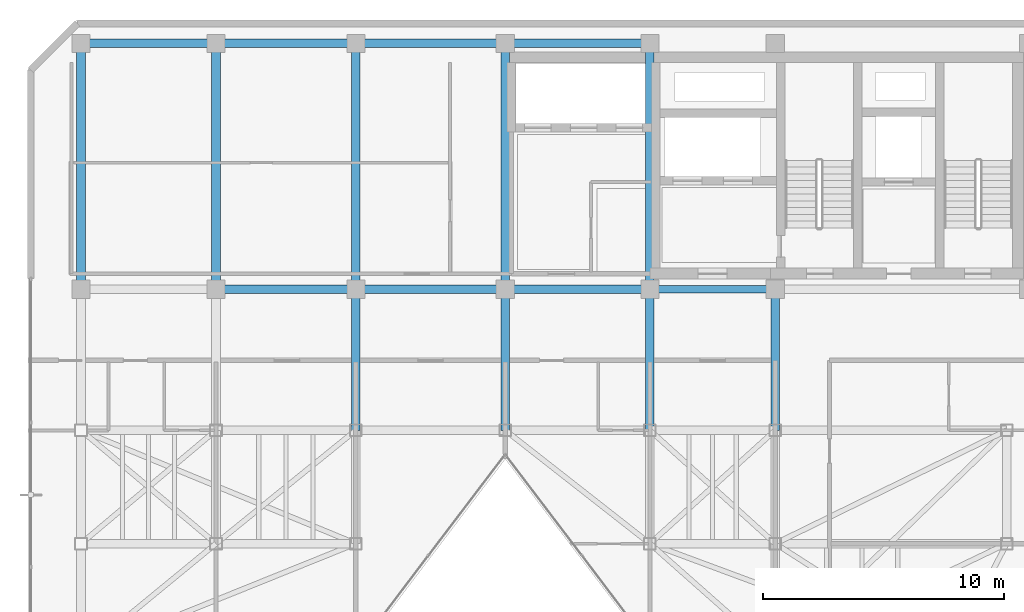
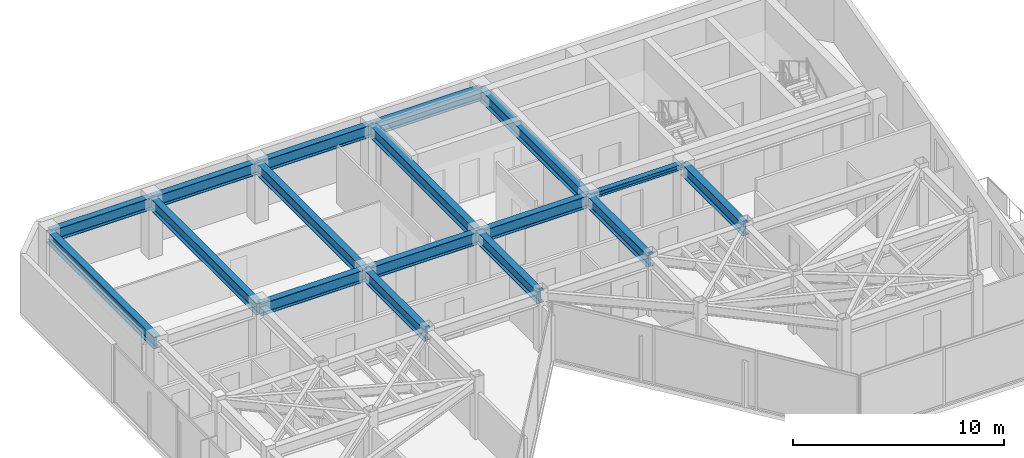
# One storey, part 13 of 19: 17 beams.
"""IFC4 building model written with IfcOpenShell, lengths in metres."""

from ifc_helpers import new_model, si_unit, direction, frame, origin, origin_2d, place, context, subcontext, project, spatial, i_section, extrude, material, material_profile, profile_set, type_object, element, save


model = new_model("IFC4")

# Units and contexts
model_context = context("Model", 3, precision=1e-05, world=origin(), true_north=direction((0.0, 1.0)))
body_context = subcontext(model_context, "Body", "Model", "MODEL_VIEW")
ifc_project = project(units=[si_unit("LENGTHUNIT", "METRE"), si_unit("AREAUNIT", "SQUARE_METRE"), si_unit("VOLUMEUNIT", "CUBIC_METRE"), si_unit("PLANEANGLEUNIT", "RADIAN"), si_unit("MASSUNIT", "GRAM", prefix="KILO")], contexts=[model_context])

# Site, building, storey
site_placement = place(None, origin())
site = spatial("IfcSite", under=ifc_project, at=site_placement, CompositionType="ELEMENT")
building_placement = place(site_placement, origin())
building = spatial("IfcBuilding", under=site, at=building_placement, Name="Kravanh Interchange Tower", CompositionType="ELEMENT")
storey_placement = place(building_placement, frame((0.0, 0.0, 259.800048828125)))
storey = spatial("IfcBuildingStorey", under=building, at=storey_placement, Name="L63", CompositionType="ELEMENT", Elevation=259.800048828125)

# Beams
ifc_material_1 = material(Name="Structural Steel S355", Category="steel")
ifc_material_profile_1 = material_profile(ifc_material_1, i_section(OverallWidth=0.35498046875, OverallDepth=0.696044921875, WebThickness=0.015380859375, FlangeThickness=0.02490234375, FilletRadius=0.02392578125, at=origin_2d()), Name="W27X146")
ifc_profile_set_1 = profile_set([ifc_material_profile_1], Name="Structural Steel S355")
beam_type_1 = type_object("IfcBeamType", Name="Floor Beam W27X146 Structural Steel S355", PredefinedType="BEAM", material=ifc_profile_set_1)
for number, where, z_axis, x_axis, name in (
    (1, (44.800048828125, 31.5, 3.001953125), (0.0, 1.0, 0.0), (-1.0, 0.0, 0.0), "L63 Primary Floor Girder 1"),
    (2, (50.800048828125, 31.5, 3.001953125), (0.0, 1.0, 0.0), (-1.0, 0.0, 0.0), "L63 Primary Floor Girder 7"),
    (3, (56.0, 31.5, 3.001953125), (0.0, 1.0, 0.0), (-1.0, 0.0, 0.0), "L63 Primary Floor Girder 10"),
    (4, (38.60009765625, 31.5, 3.001953125), (0.0, 1.0, 0.0), (-1.0, 0.0, 0.0), "L63 Primary Floor Girder 19"),
):
    element("IfcBeam", number, at=place(storey_placement, frame(where, z_axis=z_axis, x_axis=x_axis)), inside=storey, type_object=beam_type_1, Name=name, PredefinedType="BEAM", context=body_context, shape_type="SweptSolid", body=[
        extrude(i_section(OverallWidth=0.35498046875, OverallDepth=0.696044921875, WebThickness=0.015380859375, FlangeThickness=0.02490234375, FilletRadius=0.02392578125, at=origin_2d()), origin(), (0.0, 0.0, 1.0), 5.85009765625),
    ])
beam_1_placement = place(storey_placement, frame((50.800048828125, 47.550048828125, 3.001953125), z_axis=(-1.0, 0.0, 0.0), x_axis=(0.0, -1.0, 0.0)))
element("IfcBeam", 5, at=beam_1_placement, inside=storey, type_object=beam_type_1, Name="L63 Primary Floor Girder 49", PredefinedType="BEAM", context=body_context, shape_type="SweptSolid", body=[
    extrude(i_section(OverallWidth=0.35498046875, OverallDepth=0.696044921875, WebThickness=0.015380859375, FlangeThickness=0.02490234375, FilletRadius=0.02392578125, at=origin_2d()), origin(), (0.0, 0.0, 1.0), 6.0),
])
beam_2_placement = place(storey_placement, frame((50.800048828125, 47.550048828125, 3.001953125), z_axis=(0.0, -1.0, 0.0), x_axis=(1.0, 0.0, 0.0)))
element("IfcBeam", 6, at=beam_2_placement, inside=storey, type_object=beam_type_1, Name="L63 Primary Floor Girder 50", PredefinedType="BEAM", context=body_context, shape_type="SweptSolid", body=[
    extrude(i_section(OverallWidth=0.35498046875, OverallDepth=0.696044921875, WebThickness=0.015380859375, FlangeThickness=0.02490234375, FilletRadius=0.02392578125, at=origin_2d()), origin(), (0.0, 0.0, 1.0), 10.199951171875),
])
beam_3_placement = place(storey_placement, frame((50.800048828125, 37.35009765625, 3.001953125), z_axis=(-1.0, 0.0, 0.0), x_axis=(0.0, -1.0, 0.0)))
element("IfcBeam", 7, at=beam_3_placement, inside=storey, type_object=beam_type_1, Name="L63 Primary Floor Girder 51", PredefinedType="BEAM", context=body_context, shape_type="SweptSolid", body=[
    extrude(i_section(OverallWidth=0.35498046875, OverallDepth=0.696044921875, WebThickness=0.015380859375, FlangeThickness=0.02490234375, FilletRadius=0.02392578125, at=origin_2d()), origin(), (0.0, 0.0, 1.0), 6.0),
])
beam_4_placement = place(storey_placement, frame((44.800048828125, 37.35009765625, 3.001953125), z_axis=(-1.0, 0.0, 0.0), x_axis=(0.0, -1.0, 0.0)))
element("IfcBeam", 8, at=beam_4_placement, inside=storey, type_object=beam_type_1, Name="L63 Primary Floor Girder 52", PredefinedType="BEAM", context=body_context, shape_type="SweptSolid", body=[
    extrude(i_section(OverallWidth=0.35498046875, OverallDepth=0.696044921875, WebThickness=0.015380859375, FlangeThickness=0.02490234375, FilletRadius=0.02392578125, at=origin_2d()), origin(), (0.0, 0.0, 1.0), 6.199951171875),
])
beam_5_placement = place(storey_placement, frame((44.800048828125, 37.35009765625, 3.001953125), z_axis=(0.0, 1.0, 0.0), x_axis=(-1.0, 0.0, 0.0)))
element("IfcBeam", 9, at=beam_5_placement, inside=storey, type_object=beam_type_1, Name="L63 Primary Floor Girder 53", PredefinedType="BEAM", context=body_context, shape_type="SweptSolid", body=[
    extrude(i_section(OverallWidth=0.35498046875, OverallDepth=0.696044921875, WebThickness=0.015380859375, FlangeThickness=0.02490234375, FilletRadius=0.02392578125, at=origin_2d()), origin(), (0.0, 0.0, 1.0), 10.199951171875),
])
beam_6_placement = place(storey_placement, frame((44.800048828125, 47.550048828125, 3.001953125), z_axis=(-1.0, 0.0, 0.0), x_axis=(0.0, -1.0, 0.0)))
element("IfcBeam", 10, at=beam_6_placement, inside=storey, type_object=beam_type_1, Name="L63 Primary Floor Girder 54", PredefinedType="BEAM", context=body_context, shape_type="SweptSolid", body=[
    extrude(i_section(OverallWidth=0.35498046875, OverallDepth=0.696044921875, WebThickness=0.015380859375, FlangeThickness=0.02490234375, FilletRadius=0.02392578125, at=origin_2d()), origin(), (0.0, 0.0, 1.0), 6.199951171875),
])
beam_7_placement = place(storey_placement, frame((38.60009765625, 37.35009765625, 3.001953125), z_axis=(-1.0, 0.0, 0.0), x_axis=(0.0, -1.0, 0.0)))
element("IfcBeam", 11, at=beam_7_placement, inside=storey, type_object=beam_type_1, Name="L63 Primary Floor Girder 55", PredefinedType="BEAM", context=body_context, shape_type="SweptSolid", body=[
    extrude(i_section(OverallWidth=0.35498046875, OverallDepth=0.696044921875, WebThickness=0.015380859375, FlangeThickness=0.02490234375, FilletRadius=0.02392578125, at=origin_2d()), origin(), (0.0, 0.0, 1.0), 5.800048828125),
])
beam_8_placement = place(storey_placement, frame((38.60009765625, 37.35009765625, 3.001953125), z_axis=(0.0, 1.0, 0.0), x_axis=(-1.0, 0.0, 0.0)))
element("IfcBeam", 12, at=beam_8_placement, inside=storey, type_object=beam_type_1, Name="L63 Primary Floor Girder 56", PredefinedType="BEAM", context=body_context, shape_type="SweptSolid", body=[
    extrude(i_section(OverallWidth=0.35498046875, OverallDepth=0.696044921875, WebThickness=0.015380859375, FlangeThickness=0.02490234375, FilletRadius=0.02392578125, at=origin_2d()), origin(), (0.0, 0.0, 1.0), 10.199951171875),
])
beam_9_placement = place(storey_placement, frame((38.60009765625, 47.550048828125, 3.001953125), z_axis=(-1.0, 0.0, 0.0), x_axis=(0.0, -1.0, 0.0)))
element("IfcBeam", 13, at=beam_9_placement, inside=storey, type_object=beam_type_1, Name="L63 Primary Floor Girder 57", PredefinedType="BEAM", context=body_context, shape_type="SweptSolid", body=[
    extrude(i_section(OverallWidth=0.35498046875, OverallDepth=0.696044921875, WebThickness=0.015380859375, FlangeThickness=0.02490234375, FilletRadius=0.02392578125, at=origin_2d()), origin(), (0.0, 0.0, 1.0), 5.800048828125),
])
beam_10_placement = place(storey_placement, frame((32.800048828125, 37.35009765625, 3.001953125), z_axis=(0.0, 1.0, 0.0), x_axis=(-1.0, 0.0, 0.0)))
element("IfcBeam", 14, at=beam_10_placement, inside=storey, type_object=beam_type_1, Name="L63 Primary Floor Girder 59", PredefinedType="BEAM", context=body_context, shape_type="SweptSolid", body=[
    extrude(i_section(OverallWidth=0.35498046875, OverallDepth=0.696044921875, WebThickness=0.015380859375, FlangeThickness=0.02490234375, FilletRadius=0.02392578125, at=origin_2d()), origin(), (0.0, 0.0, 1.0), 10.199951171875),
])
beam_11_placement = place(storey_placement, frame((32.800048828125, 47.550048828125, 3.001953125), z_axis=(-1.0, 0.0, 0.0), x_axis=(0.0, -1.0, 0.0)))
element("IfcBeam", 15, at=beam_11_placement, inside=storey, type_object=beam_type_1, Name="L63 Primary Floor Girder 60", PredefinedType="BEAM", context=body_context, shape_type="SweptSolid", body=[
    extrude(i_section(OverallWidth=0.35498046875, OverallDepth=0.696044921875, WebThickness=0.015380859375, FlangeThickness=0.02490234375, FilletRadius=0.02392578125, at=origin_2d()), origin(), (0.0, 0.0, 1.0), 5.60009765625),
])
beam_12_placement = place(storey_placement, frame((27.199951171875, 37.35009765625, 3.001953125), z_axis=(0.0, 1.0, 0.0), x_axis=(-1.0, 0.0, 0.0)))
element("IfcBeam", 16, at=beam_12_placement, inside=storey, type_object=beam_type_1, Name="L63 Primary Floor Girder 61", PredefinedType="BEAM", context=body_context, shape_type="SweptSolid", body=[
    extrude(i_section(OverallWidth=0.35498046875, OverallDepth=0.696044921875, WebThickness=0.015380859375, FlangeThickness=0.02490234375, FilletRadius=0.02392578125, at=origin_2d()), origin(), (0.0, 0.0, 1.0), 10.199951171875),
])
ifc_material_2 = material(Name="Structural Steel S355", Category="steel")
ifc_material_profile_2 = material_profile(ifc_material_2, i_section(OverallWidth=0.304931640625, OverallDepth=0.306884765625, WebThickness=0.010009765625, FlangeThickness=0.015380859375, FilletRadius=0.014892578125, at=origin_2d()), Name="W12X65")
ifc_profile_set_2 = profile_set([ifc_material_profile_2], Name="Structural Steel S355")
beam_type_2 = type_object("IfcBeamType", Name="Floor Lintel W12X65 Structural Steel S355", PredefinedType="LINTEL", material=ifc_profile_set_2)
beam_13_placement = place(storey_placement, frame((50.800048828125, 37.35009765625, 3.196533203125), z_axis=(1.0, 0.0, 0.0), x_axis=(0.0, 1.0, 0.0)))
element("IfcBeam", 17, at=beam_13_placement, inside=storey, type_object=beam_type_2, Name="L63 Core Coupling Lintel 1", PredefinedType="LINTEL", context=body_context, shape_type="SweptSolid", body=[
    extrude(i_section(OverallWidth=0.304931640625, OverallDepth=0.306884765625, WebThickness=0.010009765625, FlangeThickness=0.015380859375, FilletRadius=0.014892578125, at=origin_2d()), origin(), (0.0, 0.0, 1.0), 5.199951171875),
])

save(model, "model.ifc")
